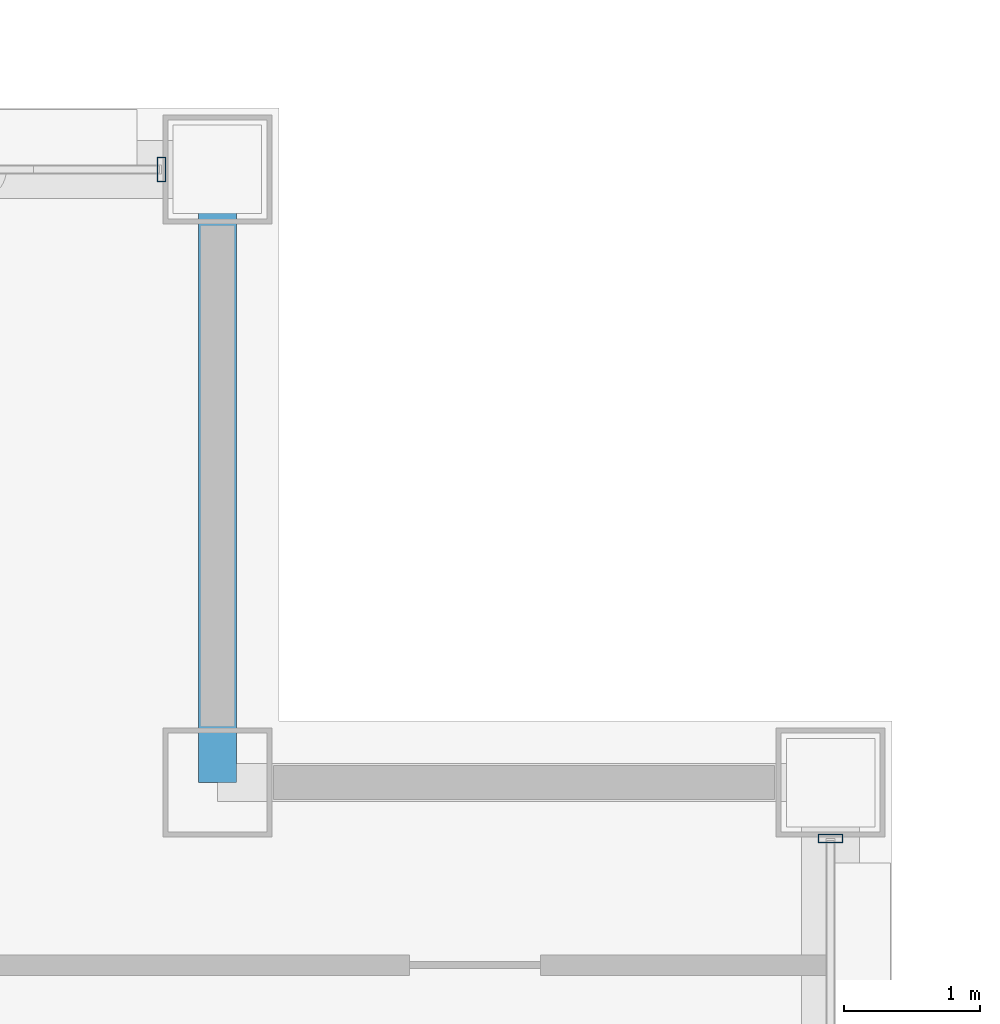
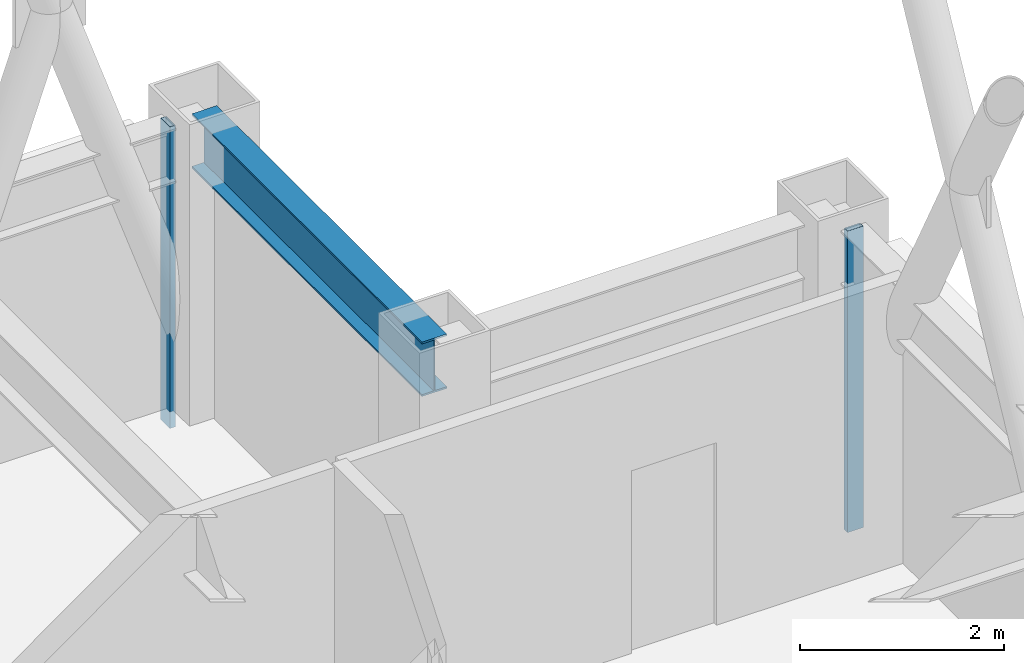
# One storey, part 25 of 33: 2 members, 1 beam, 2 elements without a shape of their own.
"""IFC4 building model written with IfcOpenShell, lengths in metres."""

from ifc_helpers import new_model, si_unit, direction, frame, origin, origin_2d, place, context, subcontext, project, spatial, hollow_rectangle, i_section, extrude, material, layer, layer_set, material_profile, profile_set, type_object, element, aggregate, save


model = new_model("IFC4")

# Units and contexts
model_context = context("Model", 3, precision=1e-05, world=origin(), true_north=direction((0.0, 1.0)))
body_context = subcontext(model_context, "Body", "Model", "MODEL_VIEW")
ifc_project = project(units=[si_unit("LENGTHUNIT", "METRE"), si_unit("AREAUNIT", "SQUARE_METRE"), si_unit("VOLUMEUNIT", "CUBIC_METRE"), si_unit("PLANEANGLEUNIT", "RADIAN"), si_unit("MASSUNIT", "GRAM", prefix="KILO")], contexts=[model_context])

# Site, building, storey
site_placement = place(None, origin())
site = spatial("IfcSite", under=ifc_project, at=site_placement, CompositionType="ELEMENT")
building_placement = place(site_placement, origin())
building = spatial("IfcBuilding", under=site, at=building_placement, Name="Brelmoor Portico Tower", CompositionType="ELEMENT")
storey_placement = place(building_placement, frame((0.0, 0.0, 120.60009765625)))
storey = spatial("IfcBuildingStorey", under=building, at=storey_placement, Name="L31", CompositionType="ELEMENT", Elevation=120.60009765625)

# Beam
ifc_material_1 = material(Name="Steel Q355B", Category="steel")
ifc_material_profile_1 = material_profile(ifc_material_1, i_section(OverallWidth=0.280029296875, OverallDepth=0.64990234375, WebThickness=0.012939453125, FlangeThickness=0.02197265625, at=origin_2d()), Name="HN 650x280x13x22")
ifc_profile_set_1 = profile_set([ifc_material_profile_1], Name="Steel Q355B")
beam_type = type_object("IfcBeamType", Name="BM-SP-650", PredefinedType="SPANDREL", material=ifc_profile_set_1)
beam_placement = place(storey_placement, frame((18.050048828125, 15.050048828125, 3.074951171875), z_axis=(0.0, 1.0, 0.0), x_axis=(-1.0, 0.0, 0.0)))
element("IfcBeam", 1, at=beam_placement, inside=storey, type_object=beam_type, Name="L31 Perimeter Spandrel Beam SP-21", PredefinedType="SPANDREL", context=body_context, shape_type="SweptSolid", body=[
    extrude(i_section(OverallWidth=0.280029296875, OverallDepth=0.64990234375, WebThickness=0.012939453125, FlangeThickness=0.02197265625, at=origin_2d()), origin(), (0.0, 0.0, 1.0), 4.5),
])

# Curtain wall, member
ifc_material_2 = material(Name="Anodised Aluminium Alloy 6063-T6", Category="aluminium")
ifc_layer = layer(ifc_material_2, 0.179931640625)
ifc_layer_set = layer_set([ifc_layer], Name="Anodised Aluminium Alloy 6063-T6")
curtain_wall_type = type_object("IfcCurtainWallType", Name="CW-TOWER-Z2-XB", PredefinedType="NOTDEFINED", material=ifc_layer_set)
curtain_wall_1_placement = place(storey_placement, origin())
curtain_wall_1 = element("IfcCurtainWall", 2, at=curtain_wall_1_placement, inside=storey, type_object=curtain_wall_type, Name="L31 Curtain Wall CW-L31-2R-3", PredefinedType="NOTDEFINED")
ifc_material_profile_2 = material_profile(ifc_material_2, hollow_rectangle(XDim=0.06494140625, YDim=0.179931640625, WallThickness=0.00390625, at=origin_2d()), Name="ALU MULLION 65x180")
ifc_profile_set_2 = profile_set([ifc_material_profile_2], Name="Anodised Aluminium Alloy 6063-T6")
member_type = type_object("IfcMemberType", Name="MB-CW-MULL-180", PredefinedType="MULLION", material=ifc_profile_set_2)
member_1_placement = place(storey_placement, frame((17.639892578125, 19.550048828125, -0.2001953125), z_axis=(0.0, 0.0, 1.0), x_axis=(1.0, 0.0, 0.0)))
member_1 = element("IfcMember", 3, at=member_1_placement, type_object=member_type, Name="CW-L31-2R-3 Mullion 01", PredefinedType="MULLION", context=body_context, shape_type="SweptSolid", body=[
    extrude(hollow_rectangle(XDim=0.06494140625, YDim=0.179931640625, WallThickness=0.00390625, at=origin_2d()), origin(), (0.0, 0.0, 1.0), 3.60009765625),
])
aggregate(curtain_wall_1, [member_1])

curtain_wall_2_placement = place(storey_placement, origin())
curtain_wall_2 = element("IfcCurtainWall", 4, at=curtain_wall_2_placement, inside=storey, type_object=curtain_wall_type, Name="L31 Curtain Wall CW-L31-4R-2", PredefinedType="NOTDEFINED")
member_2_placement = place(storey_placement, frame((22.550048828125, 14.639892578125, -0.2001953125), z_axis=(0.0, 0.0, 1.0), x_axis=(0.0, 1.0, 0.0)))
member_2 = element("IfcMember", 5, at=member_2_placement, type_object=member_type, Name="CW-L31-4R-2 Mullion 01", PredefinedType="MULLION", context=body_context, shape_type="SweptSolid", body=[
    extrude(hollow_rectangle(XDim=0.06494140625, YDim=0.179931640625, WallThickness=0.00390625, at=origin_2d()), origin(), (0.0, 0.0, 1.0), 3.60009765625),
])
aggregate(curtain_wall_2, [member_2])

save(model, "model.ifc")
